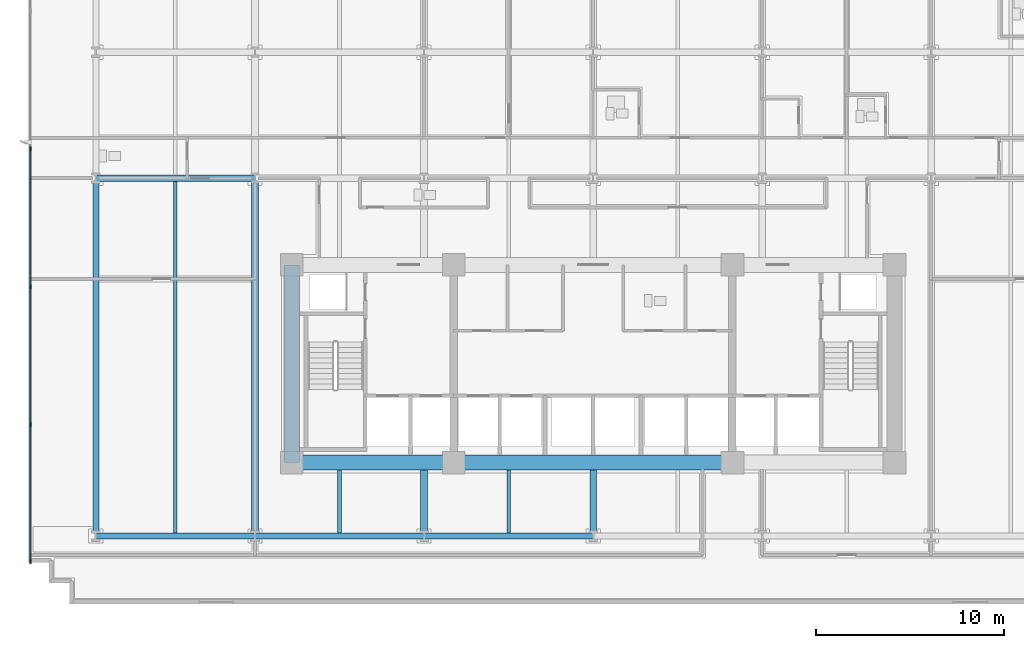
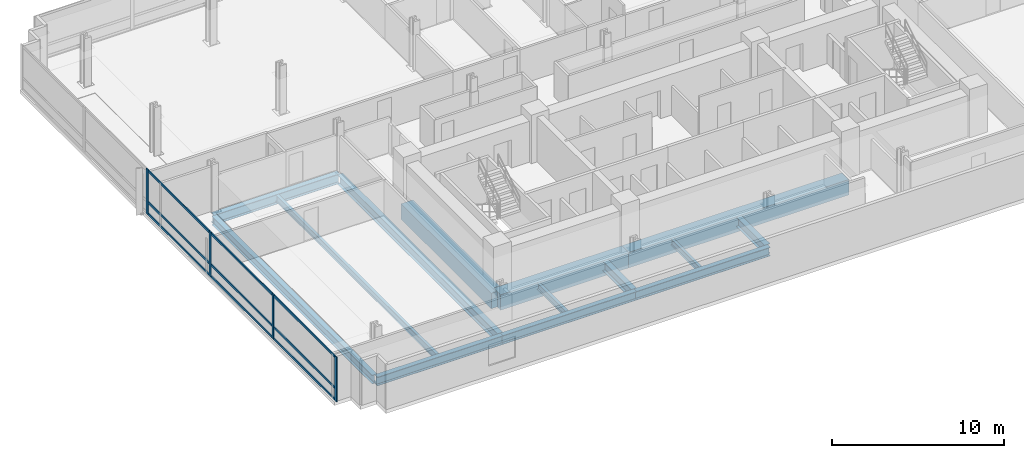
# One storey, part 2 of 18: 14 beams, 13 members, 1 element without a shape of its own.
"""IFC4 building model written with IfcOpenShell, lengths in metres."""

from ifc_helpers import new_model, si_unit, direction, frame, origin, origin_2d, place, context, subcontext, project, spatial, rectangle, i_section, extrude, material, material_profile, profile_set, type_object, element, aggregate, save


model = new_model("IFC4")

# Units and contexts
model_context = context("Model", 3, precision=1e-05, world=origin(), true_north=direction((0.0, 1.0)))
body_context = subcontext(model_context, "Body", "Model", "MODEL_VIEW")
ifc_project = project(units=[si_unit("LENGTHUNIT", "METRE"), si_unit("AREAUNIT", "SQUARE_METRE"), si_unit("VOLUMEUNIT", "CUBIC_METRE"), si_unit("PLANEANGLEUNIT", "RADIAN"), si_unit("MASSUNIT", "GRAM", prefix="KILO")], contexts=[model_context])

# Site, building, storey
site_placement = place(None, origin())
site = spatial("IfcSite", under=ifc_project, at=site_placement, CompositionType="ELEMENT")
building_placement = place(site_placement, origin())
building = spatial("IfcBuilding", under=site, at=building_placement, Name="Solmavex Isthmus Hotel", CompositionType="ELEMENT")
storey_placement = place(building_placement, frame((0.0, 0.0, 43.64990234375)))
storey = spatial("IfcBuildingStorey", under=building, at=storey_placement, Name="L11", CompositionType="ELEMENT", Elevation=43.64990234375)

# Beams
ifc_material_1 = material(Name="Steel ASTM A992 Grade 50", Category="steel")
ifc_material_profile_1 = material_profile(ifc_material_1, i_section(OverallWidth=0.354736328125, OverallDepth=0.695556640625, WebThickness=0.015380859375, FlangeThickness=0.02490234375, FilletRadius=0.017822265625, at=origin_2d()), Name="W27X146")
ifc_profile_set_1 = profile_set([ifc_material_profile_1], Name="Steel ASTM A992 Grade 50")
beam_type_1 = type_object("IfcBeamType", Name="BM-BG-W27X146", PredefinedType="BEAM", material=ifc_profile_set_1)
beam_1_placement = place(storey_placement, frame((-26.39990234375, 2.10009765625, -0.607666015625), z_axis=(1.0, 0.0, 0.0), x_axis=(0.0, 1.0, 0.0)))
element("IfcBeam", 1, at=beam_1_placement, inside=storey, type_object=beam_type_1, Name="Floor Girder L11-UG07", PredefinedType="BEAM", context=body_context, shape_type="SweptSolid", body=[
    extrude(i_section(OverallWidth=0.354736328125, OverallDepth=0.695556640625, WebThickness=0.015380859375, FlangeThickness=0.02490234375, FilletRadius=0.017822265625, at=origin_2d()), origin(), (0.0, 0.0, 1.0), 8.447998046875),
])
beam_2_placement = place(storey_placement, frame((-17.951904296875, -16.73681640625, -0.607666015625), z_axis=(0.0, 1.0, 0.0), x_axis=(-1.0, 0.0, 0.0)))
element("IfcBeam", 2, at=beam_2_placement, inside=storey, type_object=beam_type_1, Name="Floor Beam L11-VG28", PredefinedType="BEAM", context=body_context, shape_type="SweptSolid", body=[
    extrude(i_section(OverallWidth=0.354736328125, OverallDepth=0.695556640625, WebThickness=0.015380859375, FlangeThickness=0.02490234375, FilletRadius=0.017822265625, at=origin_2d()), origin(), (0.0, 0.0, 1.0), 18.659423828125),
])
for number, where, z_axis, x_axis, name in (
    (3, (-8.97607421875, -16.73681640625, -0.607666015625), (0.0, 1.0, 0.0), (-1.0, 0.0, 0.0), "Floor Beam L11-VG31"),
    (4, (0.0, -16.73681640625, -0.607666015625), (0.0, 1.0, 0.0), (-1.0, 0.0, 0.0), "Floor Beam L11-VG35"),
):
    element("IfcBeam", number, at=place(storey_placement, frame(where, z_axis=z_axis, x_axis=x_axis)), inside=storey, type_object=beam_type_1, Name=name, PredefinedType="BEAM", context=body_context, shape_type="SweptSolid", body=[
        extrude(i_section(OverallWidth=0.354736328125, OverallDepth=0.695556640625, WebThickness=0.015380859375, FlangeThickness=0.02490234375, FilletRadius=0.017822265625, at=origin_2d()), origin(), (0.0, 0.0, 1.0), 3.3369140625),
    ])
ifc_material_profile_2 = material_profile(ifc_material_1, i_section(OverallWidth=0.1904296875, OverallDepth=0.456787109375, WebThickness=0.009033203125, FlangeThickness=0.014404296875, FilletRadius=0.0126953125, at=origin_2d()), Name="W18X50")
ifc_profile_set_2 = profile_set([ifc_material_profile_2], Name="Steel ASTM A992 Grade 50")
beam_type_2 = type_object("IfcBeamType", Name="BM-BJ-W18X50", PredefinedType="JOIST", material=ifc_profile_set_2)
beam_3_placement = place(storey_placement, frame((-22.176025390625, -16.73681640625, -0.48828125), z_axis=(0.0, 1.0, 0.0), x_axis=(-1.0, 0.0, 0.0)))
element("IfcBeam", 5, at=beam_3_placement, inside=storey, type_object=beam_type_2, Name="Secondary Floor Joist L11-J01", PredefinedType="JOIST", context=body_context, shape_type="SweptSolid", body=[
    extrude(i_section(OverallWidth=0.1904296875, OverallDepth=0.456787109375, WebThickness=0.009033203125, FlangeThickness=0.014404296875, FilletRadius=0.0126953125, at=origin_2d()), origin(), (0.0, 0.0, 1.0), 18.659423828125),
])
for number, where, z_axis, x_axis, name in (
    (6, (-13.464111328125, -16.73681640625, -0.48828125), (0.0, 1.0, 0.0), (-1.0, 0.0, 0.0), "Secondary Floor Joist L11-J04"),
    (7, (-4.488037109375, -16.73681640625, -0.48828125), (0.0, 1.0, 0.0), (-1.0, 0.0, 0.0), "Secondary Floor Joist L11-J08"),
):
    element("IfcBeam", number, at=place(storey_placement, frame(where, z_axis=z_axis, x_axis=x_axis)), inside=storey, type_object=beam_type_2, Name=name, PredefinedType="JOIST", context=body_context, shape_type="SweptSolid", body=[
        extrude(i_section(OverallWidth=0.1904296875, OverallDepth=0.456787109375, WebThickness=0.009033203125, FlangeThickness=0.014404296875, FilletRadius=0.0126953125, at=origin_2d()), origin(), (0.0, 0.0, 1.0), 3.3369140625),
    ])
ifc_material_2 = material(Name="Concrete C70/85", Category="concrete")
ifc_material_profile_3 = material_profile(ifc_material_2, rectangle(XDim=0.800048828125, YDim=1.10009765625, at=origin_2d()), Name="RC800X1100")
ifc_profile_set_3 = profile_set([ifc_material_profile_3], Name="Concrete C70/85")
beam_type_3 = type_object("IfcBeamType", Name="BM-CB-800X1100", PredefinedType="BEAM", material=ifc_profile_set_3)
beam_4_placement = place(storey_placement, frame((-16.0, -13.0, -0.809814453125), z_axis=(1.0, 0.0, 0.0), x_axis=(0.0, 1.0, 0.0)))
element("IfcBeam", 8, at=beam_4_placement, inside=storey, type_object=beam_type_3, Name="Core Coupling Beam L11-CB1", PredefinedType="BEAM", context=body_context, shape_type="SweptSolid", body=[
    extrude(rectangle(XDim=0.800048828125, YDim=1.10009765625, at=origin_2d()), origin(), (0.0, 0.0, 1.0), 8.60009765625),
])
beam_5_placement = place(storey_placement, frame((-7.39990234375, -13.0, -0.809814453125), z_axis=(1.0, 0.0, 0.0), x_axis=(0.0, 1.0, 0.0)))
element("IfcBeam", 9, at=beam_5_placement, inside=storey, type_object=beam_type_3, Name="Core Coupling Beam L11-CB2", PredefinedType="BEAM", context=body_context, shape_type="SweptSolid", body=[
    extrude(rectangle(XDim=0.800048828125, YDim=1.10009765625, at=origin_2d()), origin(), (0.0, 0.0, 1.0), 14.7998046875),
])
beam_6_placement = place(storey_placement, frame((-16.0, -13.0, -0.809814453125), z_axis=(0.0, 1.0, 0.0), x_axis=(-1.0, 0.0, 0.0)))
element("IfcBeam", 10, at=beam_6_placement, inside=storey, type_object=beam_type_3, Name="Core Coupling Beam L11-CB7", PredefinedType="BEAM", context=body_context, shape_type="SweptSolid", body=[
    extrude(rectangle(XDim=0.800048828125, YDim=1.10009765625, at=origin_2d()), origin(), (0.0, 0.0, 1.0), 10.5),
])
ifc_material_profile_4 = material_profile(ifc_material_1, i_section(OverallWidth=0.326416015625, OverallDepth=0.621826171875, WebThickness=0.015380859375, FlangeThickness=0.0244140625, FilletRadius=0.01513671875, at=origin_2d()), Name="W24X131")
ifc_profile_set_4 = profile_set([ifc_material_profile_4], Name="Steel ASTM A992 Grade 50")
beam_type_4 = type_object("IfcBeamType", Name="BM-SP-W24X131", PredefinedType="SPANDREL", material=ifc_profile_set_4)
beam_7_placement = place(storey_placement, frame((-26.39990234375, -16.89990234375, -0.57080078125), z_axis=(1.0, 0.0, 0.0), x_axis=(0.0, 1.0, 0.0)))
element("IfcBeam", 11, at=beam_7_placement, inside=storey, type_object=beam_type_4, Name="Floor Girder L11-UG01", PredefinedType="SPANDREL", context=body_context, shape_type="SweptSolid", body=[
    extrude(i_section(OverallWidth=0.326416015625, OverallDepth=0.621826171875, WebThickness=0.015380859375, FlangeThickness=0.0244140625, FilletRadius=0.01513671875, at=origin_2d()), origin(), (0.0, 0.0, 1.0), 8.447998046875),
])
beam_8_placement = place(storey_placement, frame((-17.951904296875, -16.89990234375, -0.57080078125), z_axis=(1.0, 0.0, 0.0), x_axis=(0.0, 1.0, 0.0)))
element("IfcBeam", 12, at=beam_8_placement, inside=storey, type_object=beam_type_4, Name="Floor Girder L11-UG02", PredefinedType="SPANDREL", context=body_context, shape_type="SweptSolid", body=[
    extrude(i_section(OverallWidth=0.326416015625, OverallDepth=0.621826171875, WebThickness=0.015380859375, FlangeThickness=0.0244140625, FilletRadius=0.01513671875, at=origin_2d()), origin(), (0.0, 0.0, 1.0), 8.975830078125),
])
beam_9_placement = place(storey_placement, frame((-8.97607421875, -16.89990234375, -0.57080078125), z_axis=(1.0, 0.0, 0.0), x_axis=(0.0, 1.0, 0.0)))
element("IfcBeam", 13, at=beam_9_placement, inside=storey, type_object=beam_type_4, Name="Floor Girder L11-UG03", PredefinedType="SPANDREL", context=body_context, shape_type="SweptSolid", body=[
    extrude(i_section(OverallWidth=0.326416015625, OverallDepth=0.621826171875, WebThickness=0.015380859375, FlangeThickness=0.0244140625, FilletRadius=0.01513671875, at=origin_2d()), origin(), (0.0, 0.0, 1.0), 8.97607421875),
])
beam_10_placement = place(storey_placement, frame((-26.39990234375, -16.73681640625, -0.57080078125), z_axis=(0.0, 1.0, 0.0), x_axis=(-1.0, 0.0, 0.0)))
element("IfcBeam", 14, at=beam_10_placement, inside=storey, type_object=beam_type_4, Name="Floor Beam L11-VG25", PredefinedType="SPANDREL", context=body_context, shape_type="SweptSolid", body=[
    extrude(i_section(OverallWidth=0.326416015625, OverallDepth=0.621826171875, WebThickness=0.015380859375, FlangeThickness=0.0244140625, FilletRadius=0.01513671875, at=origin_2d()), origin(), (0.0, 0.0, 1.0), 18.659423828125),
])

# Curtain wall, members
ifc_material_3 = material(Name="Aluminium alloy 6063-T6", Category="aluminium")
curtain_wall_type = type_object("IfcCurtainWallType", Name="CW-SYS-02", PredefinedType="NOTDEFINED", material=ifc_material_3)
curtain_wall_placement = place(storey_placement, origin())
curtain_wall = element("IfcCurtainWall", 15, at=curtain_wall_placement, inside=storey, type_object=curtain_wall_type, Name="Stick Curtain Wall CWL-L11-W1", PredefinedType="NOTDEFINED")
ifc_material_profile_5 = material_profile(ifc_material_3, rectangle(XDim=0.074951171875, YDim=0.219970703125, at=origin_2d()), Name="CWM-75X220")
ifc_profile_set_5 = profile_set([ifc_material_profile_5], Name="Aluminium alloy 6063-T6")
member_type_1 = type_object("IfcMemberType", Name="CW-SYS-02-MUL", PredefinedType="MULLION", material=ifc_profile_set_5)
member_1_placement = place(storey_placement, frame((-29.8798828125, -18.262451171875, 0.0), z_axis=(0.0, 0.0, 1.0), x_axis=(-1.0, 0.0, 0.0)))
member_1 = element("IfcMember", 16, at=member_1_placement, type_object=member_type_1, Name="CW-02 mullion 1", PredefinedType="MULLION", context=body_context, shape_type="SweptSolid", body=[
    extrude(rectangle(XDim=0.074951171875, YDim=0.219970703125, at=origin_2d()), origin(), (0.0, 0.0, 1.0), 3.190185546875),
])
member_2_placement = place(storey_placement, frame((-29.8798828125, -10.97998046875, 0.0), z_axis=(0.0, 0.0, 1.0), x_axis=(-1.0, 0.0, 0.0)))
member_2 = element("IfcMember", 17, at=member_2_placement, type_object=member_type_1, Name="CW-02 mullion 2", PredefinedType="MULLION", context=body_context, shape_type="SweptSolid", body=[
    extrude(rectangle(XDim=0.074951171875, YDim=0.219970703125, at=origin_2d()), origin(), (0.0, 0.0, 1.0), 3.190185546875),
])
member_3_placement = place(storey_placement, frame((-29.8798828125, -3.659912109375, 0.0), z_axis=(0.0, 0.0, 1.0), x_axis=(-1.0, 0.0, 0.0)))
member_3 = element("IfcMember", 18, at=member_3_placement, type_object=member_type_1, Name="CW-02 mullion 3", PredefinedType="MULLION", context=body_context, shape_type="SweptSolid", body=[
    extrude(rectangle(XDim=0.074951171875, YDim=0.219970703125, at=origin_2d()), origin(), (0.0, 0.0, 1.0), 3.190185546875),
])
member_4_placement = place(storey_placement, frame((-29.8798828125, 3.659912109375, 0.0), z_axis=(0.0, 0.0, 1.0), x_axis=(-1.0, 0.0, 0.0)))
member_4 = element("IfcMember", 19, at=member_4_placement, type_object=member_type_1, Name="CW-02 mullion 4", PredefinedType="MULLION", context=body_context, shape_type="SweptSolid", body=[
    extrude(rectangle(XDim=0.074951171875, YDim=0.219970703125, at=origin_2d()), origin(), (0.0, 0.0, 1.0), 3.190185546875),
])
ifc_material_profile_6 = material_profile(ifc_material_3, rectangle(XDim=0.074951171875, YDim=0.159912109375, at=origin_2d()), Name="CWT-75X160")
ifc_profile_set_6 = profile_set([ifc_material_profile_6], Name="Aluminium alloy 6063-T6")
member_type_2 = type_object("IfcMemberType", Name="CW-SYS-02-TRN", PredefinedType="USERDEFINED", material=ifc_profile_set_6)
member_5_placement = place(storey_placement, frame((-29.8798828125, -18.22509765625, 0.080078125), z_axis=(0.0, 1.0, 0.0), x_axis=(-1.0, 0.0, 0.0)))
member_5 = element("IfcMember", 20, at=member_5_placement, type_object=member_type_2, Name="CW-02 transom 1.1", ObjectType="TRANSOM", PredefinedType="USERDEFINED", context=body_context, shape_type="SweptSolid", body=[
    extrude(rectangle(XDim=0.074951171875, YDim=0.159912109375, at=origin_2d()), origin(), (0.0, 0.0, 1.0), 7.20751953125),
])
member_6_placement = place(storey_placement, frame((-29.8798828125, -18.22509765625, 0.900146484375), z_axis=(0.0, 1.0, 0.0), x_axis=(-1.0, 0.0, 0.0)))
member_6 = element("IfcMember", 21, at=member_6_placement, type_object=member_type_2, Name="CW-02 transom 1.2", ObjectType="TRANSOM", PredefinedType="USERDEFINED", context=body_context, shape_type="SweptSolid", body=[
    extrude(rectangle(XDim=0.074951171875, YDim=0.159912109375, at=origin_2d()), origin(), (0.0, 0.0, 1.0), 7.20751953125),
])
member_7_placement = place(storey_placement, frame((-29.8798828125, -18.22509765625, 3.110107421875), z_axis=(0.0, 1.0, 0.0), x_axis=(-1.0, 0.0, 0.0)))
member_7 = element("IfcMember", 22, at=member_7_placement, type_object=member_type_2, Name="CW-02 transom 1.3", ObjectType="TRANSOM", PredefinedType="USERDEFINED", context=body_context, shape_type="SweptSolid", body=[
    extrude(rectangle(XDim=0.074951171875, YDim=0.159912109375, at=origin_2d()), origin(), (0.0, 0.0, 1.0), 7.20751953125),
])
member_8_placement = place(storey_placement, frame((-29.8798828125, -10.9423828125, 0.080078125), z_axis=(0.0, 1.0, 0.0), x_axis=(-1.0, 0.0, 0.0)))
member_8 = element("IfcMember", 23, at=member_8_placement, type_object=member_type_2, Name="CW-02 transom 2.1", ObjectType="TRANSOM", PredefinedType="USERDEFINED", context=body_context, shape_type="SweptSolid", body=[
    extrude(rectangle(XDim=0.074951171875, YDim=0.159912109375, at=origin_2d()), origin(), (0.0, 0.0, 1.0), 7.244873046875),
])
member_9_placement = place(storey_placement, frame((-29.8798828125, -10.9423828125, 0.900146484375), z_axis=(0.0, 1.0, 0.0), x_axis=(-1.0, 0.0, 0.0)))
member_9 = element("IfcMember", 24, at=member_9_placement, type_object=member_type_2, Name="CW-02 transom 2.2", ObjectType="TRANSOM", PredefinedType="USERDEFINED", context=body_context, shape_type="SweptSolid", body=[
    extrude(rectangle(XDim=0.074951171875, YDim=0.159912109375, at=origin_2d()), origin(), (0.0, 0.0, 1.0), 7.244873046875),
])
member_10_placement = place(storey_placement, frame((-29.8798828125, -10.9423828125, 3.110107421875), z_axis=(0.0, 1.0, 0.0), x_axis=(-1.0, 0.0, 0.0)))
member_10 = element("IfcMember", 25, at=member_10_placement, type_object=member_type_2, Name="CW-02 transom 2.3", ObjectType="TRANSOM", PredefinedType="USERDEFINED", context=body_context, shape_type="SweptSolid", body=[
    extrude(rectangle(XDim=0.074951171875, YDim=0.159912109375, at=origin_2d()), origin(), (0.0, 0.0, 1.0), 7.244873046875),
])
member_11_placement = place(storey_placement, frame((-29.8798828125, -3.62255859375, 0.080078125), z_axis=(0.0, 1.0, 0.0), x_axis=(-1.0, 0.0, 0.0)))
member_11 = element("IfcMember", 26, at=member_11_placement, type_object=member_type_2, Name="CW-02 transom 3.1", ObjectType="TRANSOM", PredefinedType="USERDEFINED", context=body_context, shape_type="SweptSolid", body=[
    extrude(rectangle(XDim=0.074951171875, YDim=0.159912109375, at=origin_2d()), origin(), (0.0, 0.0, 1.0), 7.2451171875),
])
member_12_placement = place(storey_placement, frame((-29.8798828125, -3.62255859375, 0.900146484375), z_axis=(0.0, 1.0, 0.0), x_axis=(-1.0, 0.0, 0.0)))
member_12 = element("IfcMember", 27, at=member_12_placement, type_object=member_type_2, Name="CW-02 transom 3.2", ObjectType="TRANSOM", PredefinedType="USERDEFINED", context=body_context, shape_type="SweptSolid", body=[
    extrude(rectangle(XDim=0.074951171875, YDim=0.159912109375, at=origin_2d()), origin(), (0.0, 0.0, 1.0), 7.2451171875),
])
member_13_placement = place(storey_placement, frame((-29.8798828125, -3.62255859375, 3.110107421875), z_axis=(0.0, 1.0, 0.0), x_axis=(-1.0, 0.0, 0.0)))
member_13 = element("IfcMember", 28, at=member_13_placement, type_object=member_type_2, Name="CW-02 transom 3.3", ObjectType="TRANSOM", PredefinedType="USERDEFINED", context=body_context, shape_type="SweptSolid", body=[
    extrude(rectangle(XDim=0.074951171875, YDim=0.159912109375, at=origin_2d()), origin(), (0.0, 0.0, 1.0), 7.2451171875),
])
aggregate(curtain_wall, [member_1, member_2, member_3, member_4, member_5, member_6, member_7, member_8, member_9, member_10, member_11, member_12, member_13])

save(model, "model.ifc")
